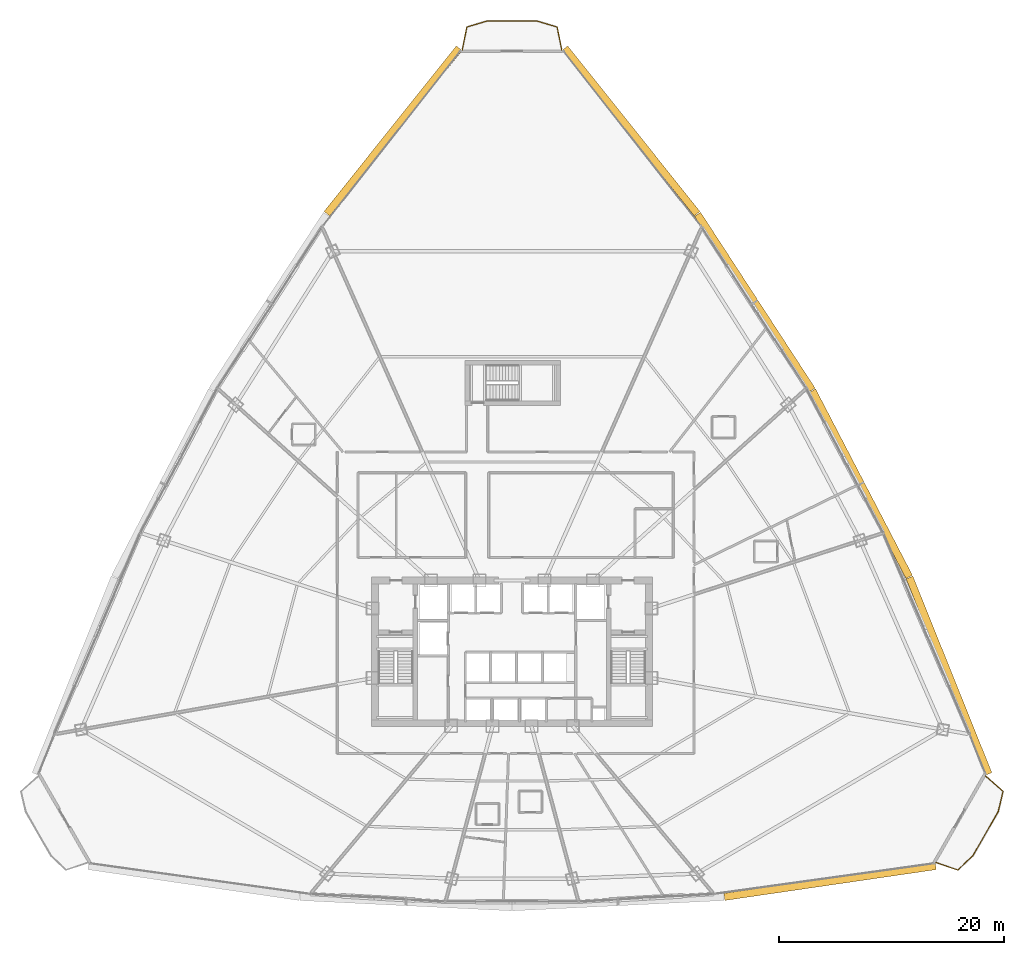
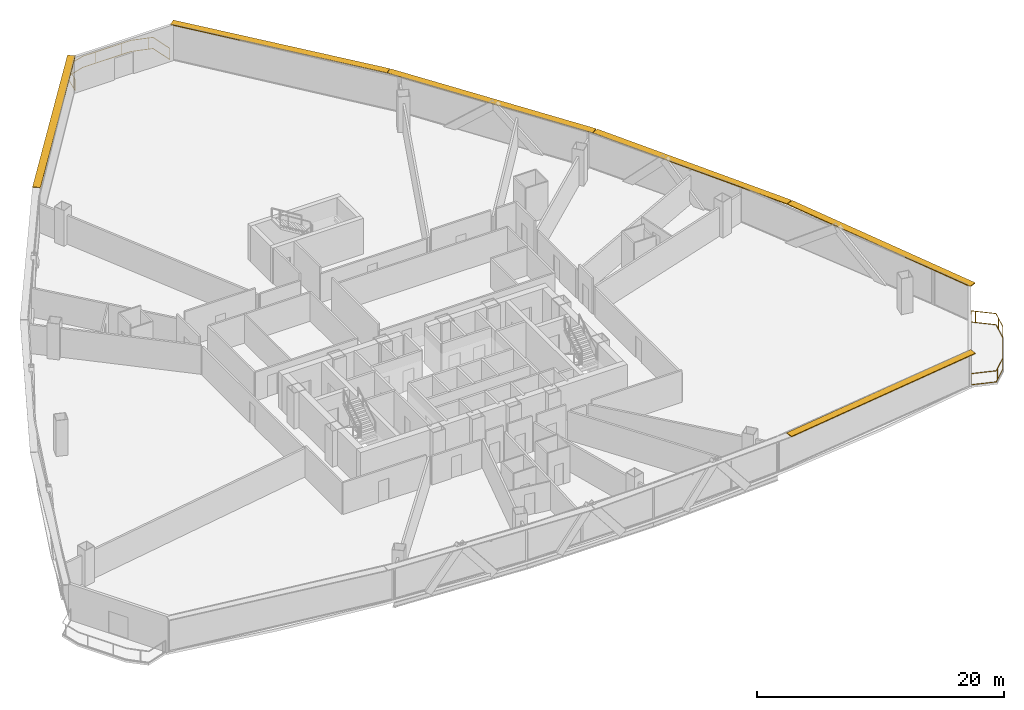
# One storey, part 37 of 37: 6 shading devices, 2 railings.
"""IFC4 building model written with IfcOpenShell, lengths in metres."""

from ifc_helpers import new_model, si_unit, direction, frame, origin, origin_2d, place, context, subcontext, project, spatial, rectangle, extrude, source, transform, mapped, material, layer, layer_set, type_object, element, save


model = new_model("IFC4")

# Units and contexts
model_context = context("Model", 3, precision=1e-05, world=origin(), true_north=direction((0.0, 1.0)))
body_context = subcontext(model_context, "Body", "Model", "MODEL_VIEW")
ifc_project = project(units=[si_unit("LENGTHUNIT", "METRE"), si_unit("AREAUNIT", "SQUARE_METRE"), si_unit("VOLUMEUNIT", "CUBIC_METRE"), si_unit("PLANEANGLEUNIT", "RADIAN"), si_unit("MASSUNIT", "GRAM", prefix="KILO"), si_unit("THERMODYNAMICTEMPERATUREUNIT", "KELVIN"), si_unit("POWERUNIT", "WATT")], contexts=[model_context])

# Site, building, storey
site_placement = place(None, origin())
site = spatial("IfcSite", under=ifc_project, at=site_placement, CompositionType="ELEMENT")
building_placement = place(site_placement, origin())
building = spatial("IfcBuilding", under=site, at=building_placement, Name="Yunzhuo Pagoda Commons", CompositionType="ELEMENT")
storey_placement = place(building_placement, frame((0.0, 0.0, 84.97998046875)))
storey = spatial("IfcBuildingStorey", under=building, at=storey_placement, Name="L21", CompositionType="ELEMENT", Elevation=84.97998046875)

# Railings
ifc_material = material(Name="Anodized aluminium 6063-T6", Category="aluminium")
railing_type = type_object("IfcRailingType", Name="RL-BAL1 Exterior Terrace & Balcony Balustrade 1150", PredefinedType="BALUSTRADE", material=ifc_material)
railing_1_placement = place(storey_placement, frame((85.737060546875, 15.097900390625, 0.0)))
element("IfcRailing", 1, at=railing_1_placement, inside=storey, type_object=railing_type, Name="L21 corner balcony balustrade V2", PredefinedType="BALUSTRADE", context=body_context, shape_type="SweptSolid", body=[
    extrude(rectangle(XDim=0.048095703125, YDim=0.048095703125, at=origin_2d()), frame((0.0, 0.0, 1.1259765625), z_axis=(0.947419062147, -0.319995501031, 0.0), x_axis=(0.319995501031, 0.947419062147, 0.0)), (0.0, 0.0, 1.0), 2.05908203125),
    extrude(rectangle(XDim=0.048095703125, YDim=0.048095703125, at=origin_2d()), frame((0.0, 0.0, 0.02392578125), z_axis=(0.947419062147, -0.319995501031, 0.0), x_axis=(0.319995501031, 0.947419062147, 0.0)), (0.0, 0.0, 1.0), 2.05908203125),
    extrude(rectangle(XDim=0.048095703125, YDim=0.048095703125, at=origin_2d()), frame((1.950927734375, -0.658935546875, 1.1259765625), z_axis=(0.724687687273, 0.689077467282, 0.0), x_axis=(-0.689077467282, 0.724687687273, 0.0)), (0.0, 0.0, 1.0), 1.85791015625),
    extrude(rectangle(XDim=0.048095703125, YDim=0.048095703125, at=origin_2d()), frame((1.950927734375, -0.658935546875, 0.02392578125), z_axis=(0.724687687273, 0.689077467282, 0.0), x_axis=(-0.689077467282, 0.724687687273, 0.0)), (0.0, 0.0, 1.0), 1.85791015625),
    extrude(rectangle(XDim=0.048095703125, YDim=0.048095703125, at=origin_2d()), frame((3.29736328125, 0.621337890625, 1.1259765625), z_axis=(0.497899857491, 0.867234531088, 0.0), x_axis=(-0.867234531088, 0.497899857491, 0.0)), (0.0, 0.0, 1.0), 4.521484375),
    extrude(rectangle(XDim=0.048095703125, YDim=0.048095703125, at=origin_2d()), frame((3.29736328125, 0.621337890625, 0.02392578125), z_axis=(0.497899857491, 0.867234531088, 0.0), x_axis=(-0.867234531088, 0.497899857491, 0.0)), (0.0, 0.0, 1.0), 4.521484375),
    extrude(rectangle(XDim=0.048095703125, YDim=0.048095703125, at=origin_2d()), frame((5.548583984375, 4.54248046875, 1.1259765625), z_axis=(0.229837631651, 0.973228987997, 0.0), x_axis=(-0.973228987997, 0.229837631651, 0.0)), (0.0, 0.0, 1.0), 1.85791015625),
    extrude(rectangle(XDim=0.048095703125, YDim=0.048095703125, at=origin_2d()), frame((5.548583984375, 4.54248046875, 0.02392578125), z_axis=(0.229837631651, 0.973228987997, 0.0), x_axis=(-0.973228987997, 0.229837631651, 0.0)), (0.0, 0.0, 1.0), 1.85791015625),
    extrude(rectangle(XDim=0.048095703125, YDim=0.048095703125, at=origin_2d()), frame((5.9755859375, 6.3505859375, 1.1259765625), z_axis=(-0.753992555518, 0.656882962348, 0.0), x_axis=(-0.656882962348, -0.753992555518, 0.0)), (0.0, 0.0, 1.0), 2.05908203125),
    extrude(rectangle(XDim=0.048095703125, YDim=0.048095703125, at=origin_2d()), frame((5.9755859375, 6.3505859375, 0.02392578125), z_axis=(-0.753992555518, 0.656882962348, 0.0), x_axis=(-0.656882962348, -0.753992555518, 0.0)), (0.0, 0.0, 1.0), 2.05908203125),
    extrude(rectangle(XDim=0.0419921875, YDim=0.0419921875, at=origin_2d()), origin(), (0.0, 0.0, 1.0), 1.101806640625),
    extrude(rectangle(XDim=0.0419921875, YDim=0.0419921875, at=origin_2d()), frame((2.197998046875, -0.424072265625, 0.0)), (0.0, 0.0, 1.0), 1.101806640625),
    extrude(rectangle(XDim=0.0419921875, YDim=0.0419921875, at=origin_2d()), frame((3.73681640625, 1.386962890625, 0.0)), (0.0, 0.0, 1.0), 1.101806640625),
    extrude(rectangle(XDim=0.0419921875, YDim=0.0419921875, at=origin_2d()), frame((4.931884765625, 3.46826171875, 0.0)), (0.0, 0.0, 1.0), 1.101806640625),
    extrude(rectangle(XDim=0.0419921875, YDim=0.0419921875, at=origin_2d()), frame((5.8154296875, 5.6728515625, 0.0)), (0.0, 0.0, 1.0), 1.101806640625),
    extrude(rectangle(XDim=0.0419921875, YDim=0.0419921875, at=origin_2d()), frame((4.691162109375, 7.4697265625, 0.0)), (0.0, 0.0, 1.0), 1.101806640625),
    extrude(rectangle(XDim=0.0419921875, YDim=0.0419921875, at=origin_2d()), frame((4.423095703125, 7.703125, 0.0)), (0.0, 0.0, 1.0), 1.101806640625),
])
railing_2_placement = place(storey_placement, frame((52.422607421875, 87.449951171875, 0.0)))
element("IfcRailing", 2, at=railing_2_placement, inside=storey, type_object=railing_type, Name="L21 corner balcony balustrade V3", PredefinedType="BALUSTRADE", context=body_context, shape_type="SweptSolid", body=[
    extrude(rectangle(XDim=0.048095703125, YDim=0.048095703125, at=origin_2d()), frame((0.0, 0.0, 1.1259765625), z_axis=(-0.194200568098, 0.980961843983, 0.0), x_axis=(-0.980961843983, -0.194200568098, 0.0)), (0.0, 0.0, 1.0), 2.059326171875),
    extrude(rectangle(XDim=0.048095703125, YDim=0.048095703125, at=origin_2d()), frame((0.0, 0.0, 0.02392578125), z_axis=(-0.194200568098, 0.980961843983, 0.0), x_axis=(-0.980961843983, -0.194200568098, 0.0)), (0.0, 0.0, 1.0), 2.059326171875),
    extrude(rectangle(XDim=0.048095703125, YDim=0.048095703125, at=origin_2d()), frame((-0.39990234375, 2.02001953125, 1.1259765625), z_axis=(-0.958036797008, 0.286645243427, 0.0), x_axis=(-0.286645243427, -0.958036797008, 0.0)), (0.0, 0.0, 1.0), 1.84912109375),
    extrude(rectangle(XDim=0.048095703125, YDim=0.048095703125, at=origin_2d()), frame((-0.39990234375, 2.02001953125, 0.02392578125), z_axis=(-0.958036797008, 0.286645243427, 0.0), x_axis=(-0.286645243427, -0.958036797008, 0.0)), (0.0, 0.0, 1.0), 1.84912109375),
    extrude(rectangle(XDim=0.048095703125, YDim=0.048095703125, at=origin_2d()), frame((-2.17138671875, 2.550048828125, 1.1259765625), z_axis=(-1.0, 0.0, 0.0), x_axis=(0.0, -1.0, 0.0)), (0.0, 0.0, 1.0), 4.50244140625),
    extrude(rectangle(XDim=0.048095703125, YDim=0.048095703125, at=origin_2d()), frame((-2.17138671875, 2.550048828125, 0.02392578125), z_axis=(-1.0, 0.0, 0.0), x_axis=(0.0, -1.0, 0.0)), (0.0, 0.0, 1.0), 4.50244140625),
    extrude(rectangle(XDim=0.048095703125, YDim=0.048095703125, at=origin_2d()), frame((-6.673828125, 2.550048828125, 1.1259765625), z_axis=(-0.958036797008, -0.286645243427, 0.0), x_axis=(0.286645243427, -0.958036797008, 0.0)), (0.0, 0.0, 1.0), 1.84912109375),
    extrude(rectangle(XDim=0.048095703125, YDim=0.048095703125, at=origin_2d()), frame((-6.673828125, 2.550048828125, 0.02392578125), z_axis=(-0.958036797008, -0.286645243427, 0.0), x_axis=(0.286645243427, -0.958036797008, 0.0)), (0.0, 0.0, 1.0), 1.84912109375),
    extrude(rectangle(XDim=0.048095703125, YDim=0.048095703125, at=origin_2d()), frame((-8.4453125, 2.02001953125, 1.1259765625), z_axis=(-0.194200568098, -0.980961843983, 0.0), x_axis=(0.980961843983, -0.194200568098, 0.0)), (0.0, 0.0, 1.0), 2.059326171875),
    extrude(rectangle(XDim=0.048095703125, YDim=0.048095703125, at=origin_2d()), frame((-8.4453125, 2.02001953125, 0.02392578125), z_axis=(-0.194200568098, -0.980961843983, 0.0), x_axis=(0.980961843983, -0.194200568098, 0.0)), (0.0, 0.0, 1.0), 2.059326171875),
    extrude(rectangle(XDim=0.0419921875, YDim=0.0419921875, at=origin_2d()), origin(), (0.0, 0.0, 1.0), 1.101806640625),
    extrude(rectangle(XDim=0.0419921875, YDim=0.0419921875, at=origin_2d()), frame((-0.726318359375, 2.11767578125, 0.0)), (0.0, 0.0, 1.0), 1.101806640625),
    extrude(rectangle(XDim=0.0419921875, YDim=0.0419921875, at=origin_2d()), frame((-3.06298828125, 2.550048828125, 0.0)), (0.0, 0.0, 1.0), 1.101806640625),
    extrude(rectangle(XDim=0.0419921875, YDim=0.0419921875, at=origin_2d()), frame((-5.463134765625, 2.550048828125, 0.0)), (0.0, 0.0, 1.0), 1.101806640625),
    extrude(rectangle(XDim=0.0419921875, YDim=0.0419921875, at=origin_2d()), frame((-7.813232421875, 2.209228515625, 0.0)), (0.0, 0.0, 1.0), 1.101806640625),
    extrude(rectangle(XDim=0.0419921875, YDim=0.0419921875, at=origin_2d()), frame((-8.783203125, 0.31298828125, 0.0)), (0.0, 0.0, 1.0), 1.101806640625),
    extrude(rectangle(XDim=0.0419921875, YDim=0.0419921875, at=origin_2d()), frame((-8.84521484375, 0.0, 0.0)), (0.0, 0.0, 1.0), 1.101806640625),
])

# Shading devices
ifc_layer = layer(ifc_material, 0.080078125)
ifc_layer_set = layer_set([ifc_layer], Name="Anodized aluminium 6063-T6")
shading_device_type = type_object("IfcShadingDeviceType", Name="SH-SUN1 Pagoda Horizontal Sunshade Eave 650", PredefinedType="USERDEFINED", material=ifc_layer_set)
shared_shape_1 = source(origin(), body_context, "Body", "SweptSolid", [
    extrude(rectangle(XDim=19.008544921875, YDim=0.64990234375, at=origin_2d()), origin(), (0.0, 0.0, 1.0), 0.080078125),
])
shading_device_placement = place(storey_placement, frame((76.3076171875, 13.415283203125, 3.4599609375), z_axis=(0.0, 0.0, 1.0), x_axis=(0.989510666697, 0.144459823108, 0.0)))
element("IfcShadingDevice", 3, at=shading_device_placement, inside=storey, type_object=shading_device_type, Name="L21 horizontal pagoda sunshade eave F1.4", ObjectType="SUNSHADE", PredefinedType="USERDEFINED", context=body_context, shape_type="MappedRepresentation", body=[
    mapped(shared_shape_1, transform((0.0, 0.0, 0.0), scale=1.0)),
])
shared_shape_2 = source(origin(), body_context, "Body", "SweptSolid", [
    extrude(rectangle(XDim=18.855712890625, YDim=0.64990234375, at=origin_2d()), origin(), (0.0, 0.0, 1.0), 0.080078125),
])
for number, where, z_axis, x_axis, name in (
    (4, (86.898681640625, 31.72607421875, 3.4599609375), (0.0, 0.0, 1.0), (-0.373003976317, 0.927829743893, 0.0), "L21 horizontal pagoda sunshade eave F2.1"),
    (5, (58.59033203125, 80.220947265625, 3.4599609375), (0.0, 0.0, 1.0), (-0.624520471688, 0.781008438138, 0.0), "L21 horizontal pagoda sunshade eave F2.4"),
    (6, (37.40966796875, 80.220947265625, 3.4599609375), (0.0, 0.0, 1.0), (-0.624520471688, -0.781008438138, 0.0), "L21 horizontal pagoda sunshade eave F3.1"),
):
    element("IfcShadingDevice", number, at=place(storey_placement, frame(where, z_axis=z_axis, x_axis=x_axis)), inside=storey, type_object=shading_device_type, Name=name, ObjectType="SUNSHADE", PredefinedType="USERDEFINED", context=body_context, shape_type="MappedRepresentation", body=[
        mapped(shared_shape_2, transform((0.0, 0.0, 0.0), scale=1.0)),
    ])
shared_shape_3 = source(origin(), body_context, "Body", "SweptSolid", [
    extrude(rectangle(XDim=18.6767578125, YDim=0.64990234375, at=origin_2d()), origin(), (0.0, 0.0, 1.0), 0.080078125),
])
for number, where, z_axis, x_axis, name in (
    (7, (79.048828125, 48.81689453125, 3.4599609375), (0.0, 0.0, 1.0), (-0.461206683033, 0.88729273384, 0.0), "L21 horizontal pagoda sunshade eave F2.2"),
    (8, (69.612548828125, 64.982177734375, 3.4599609375), (0.0, 0.0, 1.0), (-0.545838756973, 0.837890238269, 0.0), "L21 horizontal pagoda sunshade eave F2.3"),
):
    element("IfcShadingDevice", number, at=place(storey_placement, frame(where, z_axis=z_axis, x_axis=x_axis)), inside=storey, type_object=shading_device_type, Name=name, ObjectType="SUNSHADE", PredefinedType="USERDEFINED", context=body_context, shape_type="MappedRepresentation", body=[
        mapped(shared_shape_3, transform((0.0, 0.0, 0.0), scale=1.0)),
    ])

save(model, "model.ifc")
